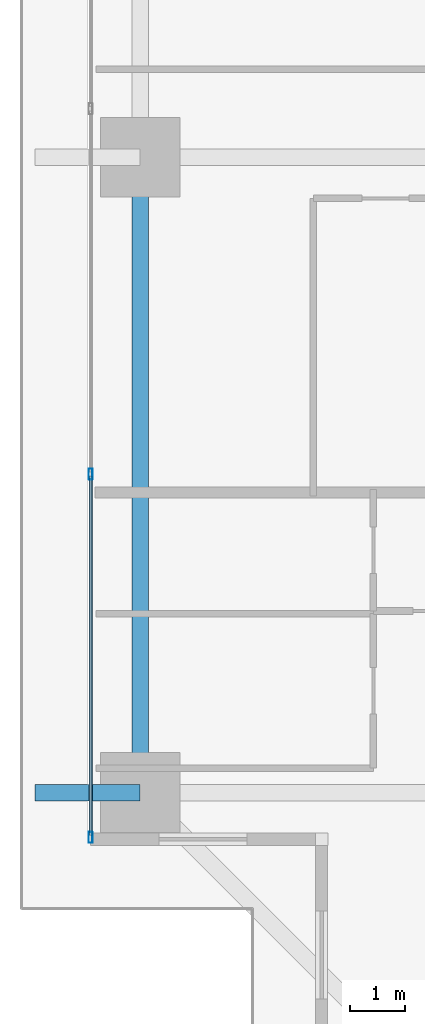
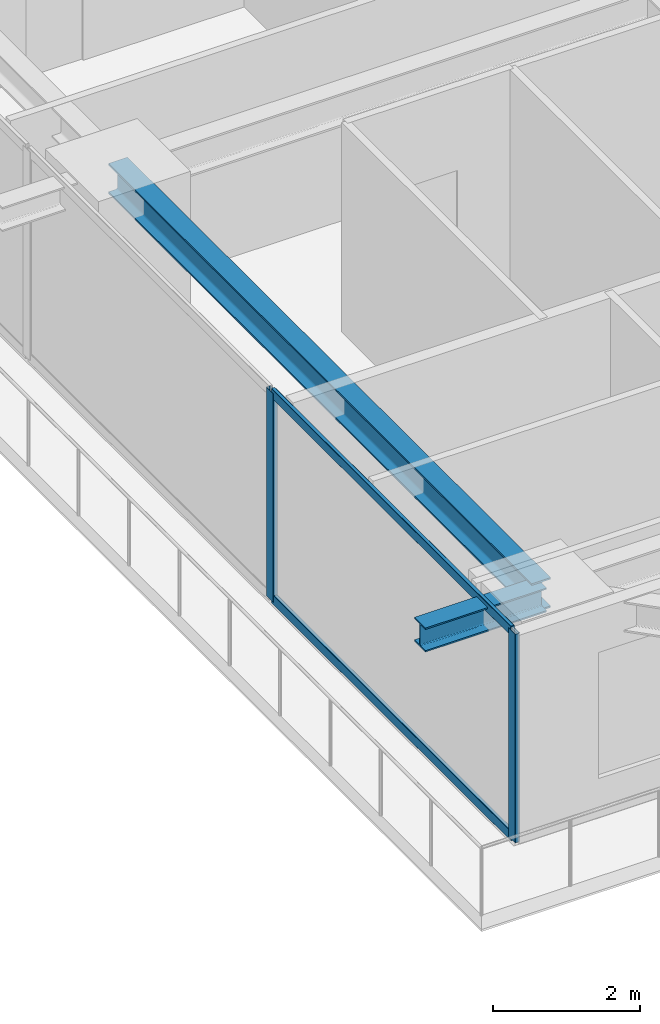
# One storey, part 3 of 37: 4 members, 2 beams, 1 element without a shape of its own.
"""IFC4 building model written with IfcOpenShell, lengths in metres."""

from ifc_helpers import new_model, si_unit, direction, frame, origin, origin_2d, place, context, subcontext, project, spatial, hollow_rectangle, i_section, extrude, source, transform, mapped, material, layer, layer_set, material_profile, profile_set, type_object, element, aggregate, save


model = new_model("IFC4")

# Units and contexts
model_context = context("Model", 3, precision=1e-05, world=origin(), true_north=direction((0.0, 1.0)))
body_context = subcontext(model_context, "Body", "Model", "MODEL_VIEW")
ifc_project = project(units=[si_unit("LENGTHUNIT", "METRE"), si_unit("AREAUNIT", "SQUARE_METRE"), si_unit("VOLUMEUNIT", "CUBIC_METRE"), si_unit("PLANEANGLEUNIT", "RADIAN"), si_unit("MASSUNIT", "GRAM", prefix="KILO")], contexts=[model_context])

# Site, building, storey
site_placement = place(None, origin())
site = spatial("IfcSite", under=ifc_project, at=site_placement, CompositionType="ELEMENT")
building_placement = place(site_placement, origin())
building = spatial("IfcBuilding", under=site, at=building_placement, Name="Serunith Strait Residences", CompositionType="ELEMENT")
storey_placement = place(building_placement, frame((0.0, 0.0, 26.699951171875)))
storey = spatial("IfcBuildingStorey", under=building, at=storey_placement, Name="L05", CompositionType="ELEMENT", Elevation=26.699951171875)

# Beams
ifc_material_1 = material(Name="Steel S355J2", Category="steel")
ifc_material_profile_1 = material_profile(ifc_material_1, i_section(OverallWidth=0.300048828125, OverallDepth=0.5, WebThickness=0.014404296875, FlangeThickness=0.028076171875, FilletRadius=0.027099609375, at=origin_2d()), Name="HEB 500")
ifc_profile_set_1 = profile_set([ifc_material_profile_1], Name="Steel S355J2")
beam_type_1 = type_object("IfcBeamType", Name="BM-HEB500", PredefinedType="BEAM", material=ifc_profile_set_1)
shared_shape_1 = source(origin(), body_context, "Body", "SweptSolid", [
    extrude(i_section(OverallWidth=0.300048828125, OverallDepth=0.5, WebThickness=0.014404296875, FlangeThickness=0.028076171875, FilletRadius=0.027099609375, at=origin_2d()), origin(), (0.0, 0.0, 1.0), 11.550048828125),
])
beam_1_placement = place(storey_placement, frame((6.89990234375, 21.0, 3.237060546875), z_axis=(0.0, -1.0, 0.0), x_axis=(1.0, 0.0, 0.0)))
element("IfcBeam", 1, at=beam_1_placement, inside=storey, type_object=beam_type_1, Name="L05 Perimeter Ring Beam 15", PredefinedType="BEAM", context=body_context, shape_type="MappedRepresentation", body=[
    mapped(shared_shape_1, transform((0.0, 0.0, 0.0), scale=1.0)),
])
ifc_material_profile_2 = material_profile(ifc_material_1, i_section(OverallWidth=0.300048828125, OverallDepth=0.39990234375, WebThickness=0.013427734375, FlangeThickness=0.02392578125, FilletRadius=0.027099609375, at=origin_2d()), Name="HEB 400")
ifc_profile_set_2 = profile_set([ifc_material_profile_2], Name="Steel S355J2")
beam_type_2 = type_object("IfcBeamType", Name="BM-HEB400", PredefinedType="BEAM", material=ifc_profile_set_2)
shared_shape_2 = source(origin(), body_context, "Body", "SweptSolid", [
    extrude(i_section(OverallWidth=0.300048828125, OverallDepth=0.39990234375, WebThickness=0.013427734375, FlangeThickness=0.02392578125, FilletRadius=0.027099609375, at=origin_2d()), origin(), (0.0, 0.0, 1.0), 1.909912109375),
])
beam_2_placement = place(storey_placement, frame((6.89990234375, 9.449951171875, 3.257080078125), z_axis=(-1.0, 0.0, 0.0), x_axis=(0.0, -1.0, 0.0)))
element("IfcBeam", 2, at=beam_2_placement, inside=storey, type_object=beam_type_2, Name="L06 Cantilevered Balcony Rib TC-W1", PredefinedType="BEAM", context=body_context, shape_type="MappedRepresentation", body=[
    mapped(shared_shape_2, transform((0.0, 0.0, 0.0), scale=1.0)),
])

# Curtain wall, members
ifc_material_2 = material(Name="Pale-Champagne Anodised Aluminium", Category="aluminium")
ifc_layer = layer(ifc_material_2, 0.199951171875, Name="Pale-Champagne Anodised Aluminium")
ifc_layer_set = layer_set([ifc_layer], Name="Pale-Champagne Anodised Aluminium")
curtain_wall_type = type_object("IfcCurtainWallType", Name="CW-SYS1", PredefinedType="NOTDEFINED", material=ifc_layer_set)
curtain_wall_placement = place(storey_placement, origin())
curtain_wall = element("IfcCurtainWall", 3, at=curtain_wall_placement, inside=storey, type_object=curtain_wall_type, Name="L05 W Unitised Fritted Curtain Wall", PredefinedType="NOTDEFINED")
ifc_material_profile_3 = material_profile(ifc_material_2, hollow_rectangle(XDim=0.070068359375, YDim=0.199951171875, WallThickness=0.00390625, InnerFilletRadius=0.006103515625, OuterFilletRadius=0.010009765625, at=origin_2d()), Name="ALU 200x70x4")
ifc_profile_set_3 = profile_set([ifc_material_profile_3], Name="Pale-Champagne Anodised Aluminium")
member_type_1 = type_object("IfcMemberType", Name="CW-SYS1-MULL", PredefinedType="MULLION", material=ifc_profile_set_3)
shared_shape_3 = source(origin(), body_context, "Body", "SweptSolid", [
    extrude(hollow_rectangle(XDim=0.070068359375, YDim=0.199951171875, WallThickness=0.00390625, InnerFilletRadius=0.006103515625, OuterFilletRadius=0.010009765625, at=origin_2d()), origin(), (0.0, 0.0, 1.0), 3.47509765625),
])
member_1_placement = place(storey_placement, frame((6.0, 15.239990234375, 0.0), z_axis=(0.0, 0.0, 1.0), x_axis=(1.0, 0.0, 0.0)))
member_1 = element("IfcMember", 4, at=member_1_placement, type_object=member_type_1, Name="CW-1 mullion 5", PredefinedType="MULLION", context=body_context, shape_type="MappedRepresentation", body=[
    mapped(shared_shape_3, transform((0.0, 0.0, 0.0), scale=1.0)),
])
member_2_placement = place(storey_placement, frame((6.0, 8.635009765625, 0.0), z_axis=(0.0, 0.0, 1.0), x_axis=(1.0, 0.0, 0.0)))
member_2 = element("IfcMember", 5, at=member_2_placement, type_object=member_type_1, Name="CW-1 mullion 6", PredefinedType="MULLION", context=body_context, shape_type="MappedRepresentation", body=[
    mapped(shared_shape_3, transform((0.0, 0.0, 0.0), scale=1.0)),
])
ifc_material_profile_4 = material_profile(ifc_material_2, hollow_rectangle(XDim=0.06005859375, YDim=0.159912109375, WallThickness=0.00341796875, InnerFilletRadius=0.00537109375, OuterFilletRadius=0.0087890625, at=origin_2d()), Name="ALU 160x60x3.5")
ifc_profile_set_4 = profile_set([ifc_material_profile_4], Name="Pale-Champagne Anodised Aluminium")
member_type_2 = type_object("IfcMemberType", Name="CW-SYS1-TRAN", PredefinedType="USERDEFINED", material=ifc_profile_set_4)
shared_shape_4 = source(origin(), body_context, "Body", "SweptSolid", [
    extrude(hollow_rectangle(XDim=0.06005859375, YDim=0.159912109375, WallThickness=0.00341796875, InnerFilletRadius=0.00537109375, OuterFilletRadius=0.0087890625, at=origin_2d()), origin(), (0.0, 0.0, 1.0), 6.53515625),
])
member_3_placement = place(storey_placement, frame((6.0, 15.205078125, 0.030029296875), z_axis=(0.0, -1.0, 0.0), x_axis=(1.0, 0.0, 0.0)))
member_3 = element("IfcMember", 6, at=member_3_placement, type_object=member_type_2, Name="CW-1 transom 5.1", ObjectType="TRANSOM", PredefinedType="USERDEFINED", context=body_context, shape_type="MappedRepresentation", body=[
    mapped(shared_shape_4, transform((0.0, 0.0, 0.0), scale=1.0)),
])
member_4_placement = place(storey_placement, frame((6.0, 15.205078125, 3.445068359375), z_axis=(0.0, -1.0, 0.0), x_axis=(1.0, 0.0, 0.0)))
member_4 = element("IfcMember", 7, at=member_4_placement, type_object=member_type_2, Name="CW-1 transom 5.2", ObjectType="TRANSOM", PredefinedType="USERDEFINED", context=body_context, shape_type="MappedRepresentation", body=[
    mapped(shared_shape_4, transform((0.0, 0.0, 0.0), scale=1.0)),
])
aggregate(curtain_wall, [member_1, member_2, member_3, member_4])

save(model, "model.ifc")
